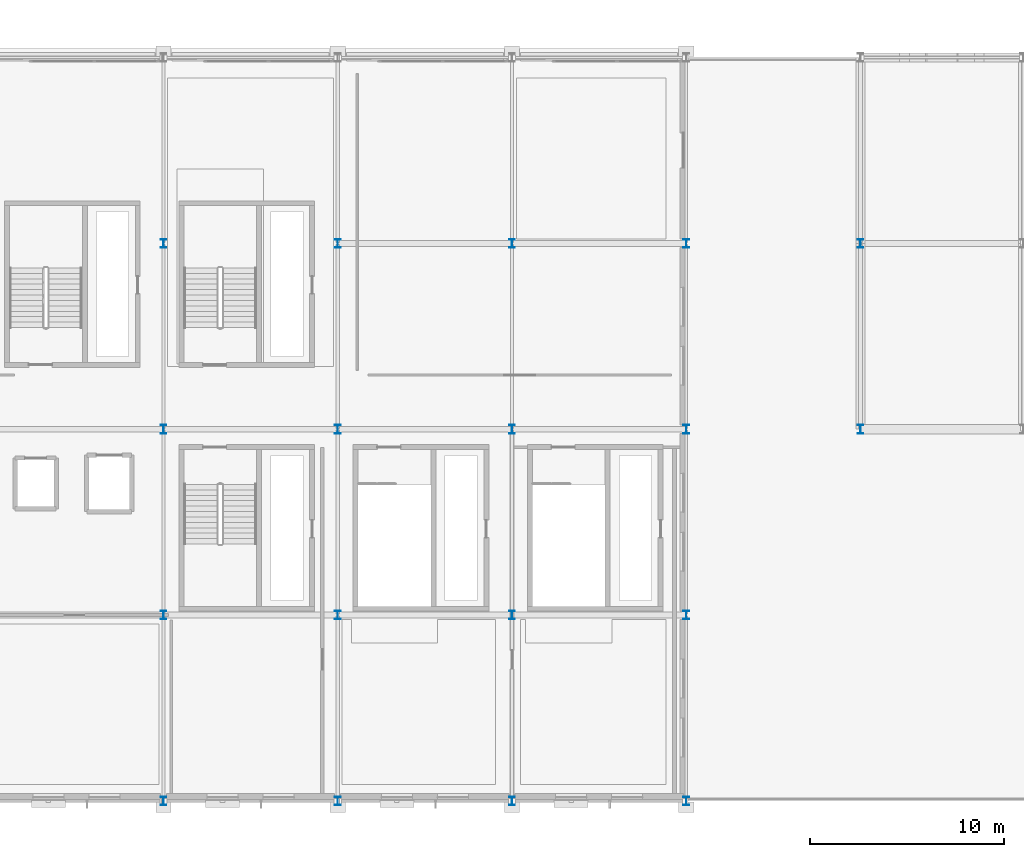
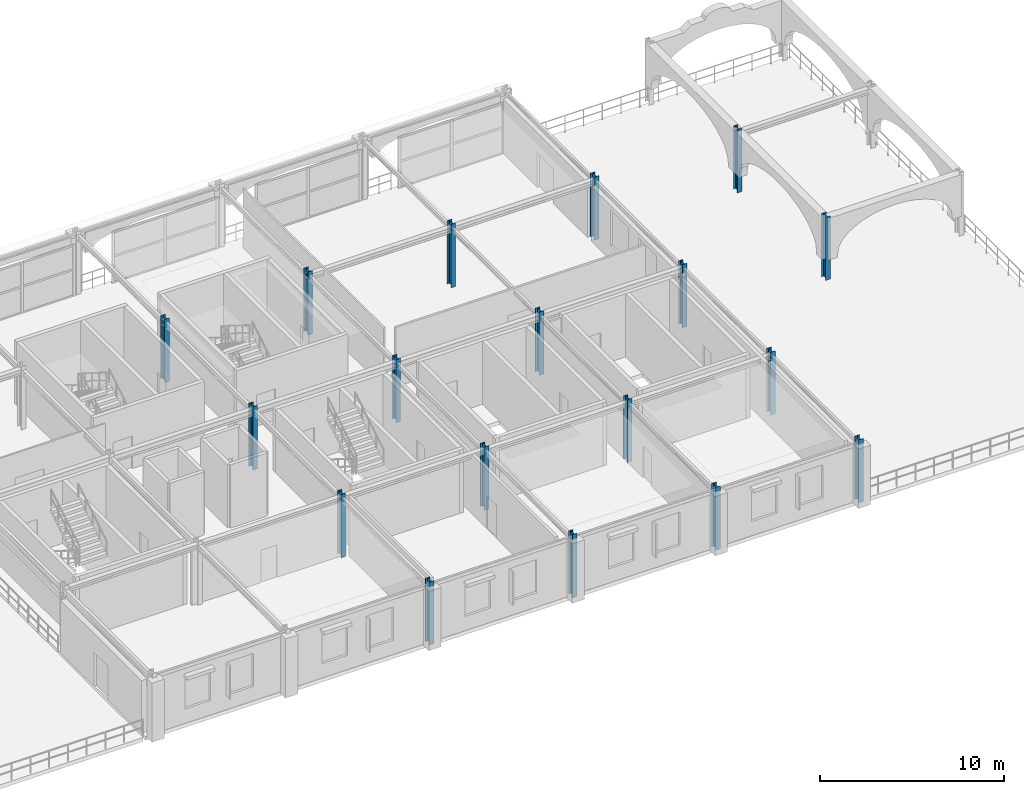
# One storey, part 9 of 81: 18 columns.
"""IFC4 building model written with IfcOpenShell, lengths in metres."""

from ifc_helpers import new_model, si_unit, direction, frame, origin, origin_2d, place, context, subcontext, project, spatial, i_section, extrude, material, material_profile, profile_set, type_object, element, save


model = new_model("IFC4")

# Units and contexts
model_context = context("Model", 3, precision=1e-05, world=origin(), true_north=direction((0.0, 1.0)))
body_context = subcontext(model_context, "Body", "Model", "MODEL_VIEW")
ifc_project = project(units=[si_unit("LENGTHUNIT", "METRE"), si_unit("AREAUNIT", "SQUARE_METRE"), si_unit("VOLUMEUNIT", "CUBIC_METRE"), si_unit("PLANEANGLEUNIT", "RADIAN"), si_unit("MASSUNIT", "GRAM", prefix="KILO")], contexts=[model_context])

# Site, building, storey
site_placement = place(None, origin())
site = spatial("IfcSite", under=ifc_project, at=site_placement, CompositionType="ELEMENT")
building_placement = place(site_placement, origin())
building = spatial("IfcBuilding", under=site, at=building_placement, Name="Myrtia Square Station", CompositionType="ELEMENT")
storey_placement = place(building_placement, frame((0.0, 0.0, 10.800048828125)))
storey = spatial("IfcBuildingStorey", under=building, at=storey_placement, Name="L02", CompositionType="ELEMENT", Elevation=10.800048828125)

# Columns
ifc_material = material(Name="Steel S355", Category="steel")
ifc_material_profile = material_profile(ifc_material, i_section(OverallWidth=0.300048828125, OverallDepth=0.43994140625, WebThickness=0.011474609375, FlangeThickness=0.02099609375, FilletRadius=0.027099609375, at=origin_2d()), Name="HEA 450")
ifc_profile_set = profile_set([ifc_material_profile], Name="Steel S355")
column_type = type_object("IfcColumnType", Name="COL-HEA450", PredefinedType="COLUMN", material=ifc_profile_set)
for number, where, z_axis, x_axis, name in (
    (1, (135.0, 0.0, 0.0), (0.0, 0.0, 1.0), (1.0, 0.0, 0.0), "Column L02-0612"),
    (2, (135.0, 9.60009765625, 0.0), (0.0, 0.0, 1.0), (1.0, 0.0, 0.0), "Column L02-0617"),
    (3, (135.0, 19.199951171875, 0.0), (0.0, 0.0, 1.0), (1.0, 0.0, 0.0), "Column L02-0622"),
    (4, (135.0, 28.800048828125, 0.0), (0.0, 0.0, 1.0), (1.0, 0.0, 0.0), "Column L02-0627"),
    (5, (144.0, 0.0, 0.0), (0.0, 0.0, 1.0), (1.0, 0.0, 0.0), "Column L02-0637"),
    (6, (144.0, 9.60009765625, 0.0), (0.0, 0.0, 1.0), (1.0, 0.0, 0.0), "Column L02-0642"),
    (7, (144.0, 19.199951171875, 0.0), (0.0, 0.0, 1.0), (1.0, 0.0, 0.0), "Column L02-0647"),
    (8, (144.0, 28.800048828125, 0.0), (0.0, 0.0, 1.0), (1.0, 0.0, 0.0), "Column L02-0652"),
    (9, (153.0, 0.0, 0.0), (0.0, 0.0, 1.0), (1.0, 0.0, 0.0), "Column L02-0662"),
    (10, (153.0, 9.60009765625, 0.0), (0.0, 0.0, 1.0), (1.0, 0.0, 0.0), "Column L02-0666"),
    (11, (153.0, 19.199951171875, 0.0), (0.0, 0.0, 1.0), (1.0, 0.0, 0.0), "Column L02-0670"),
    (12, (153.0, 28.800048828125, 0.0), (0.0, 0.0, 1.0), (1.0, 0.0, 0.0), "Column L02-0674"),
    (13, (162.0, 0.0, 0.0), (0.0, 0.0, 1.0), (1.0, 0.0, 0.0), "Column L02-0682"),
    (14, (162.0, 9.60009765625, 0.0), (0.0, 0.0, 1.0), (1.0, 0.0, 0.0), "Column L02-0686"),
    (15, (162.0, 19.199951171875, 0.0), (0.0, 0.0, 1.0), (1.0, 0.0, 0.0), "Column L02-0690"),
    (16, (162.0, 28.800048828125, 0.0), (0.0, 0.0, 1.0), (1.0, 0.0, 0.0), "Column L02-0694"),
    (17, (171.0, 19.199951171875, 0.0), (0.0, 0.0, 1.0), (1.0, 0.0, 0.0), "Column L02-0708"),
    (18, (171.0, 28.800048828125, 0.0), (0.0, 0.0, 1.0), (1.0, 0.0, 0.0), "Column L02-0712"),
):
    element("IfcColumn", number, at=place(storey_placement, frame(where, z_axis=z_axis, x_axis=x_axis)), inside=storey, type_object=column_type, Name=name, PredefinedType="COLUMN", context=body_context, shape_type="SweptSolid", body=[
        extrude(i_section(OverallWidth=0.300048828125, OverallDepth=0.43994140625, WebThickness=0.011474609375, FlangeThickness=0.02099609375, FilletRadius=0.027099609375, at=origin_2d()), origin(), (0.0, 0.0, 1.0), 4.199951171875),
    ])

save(model, "model.ifc")
